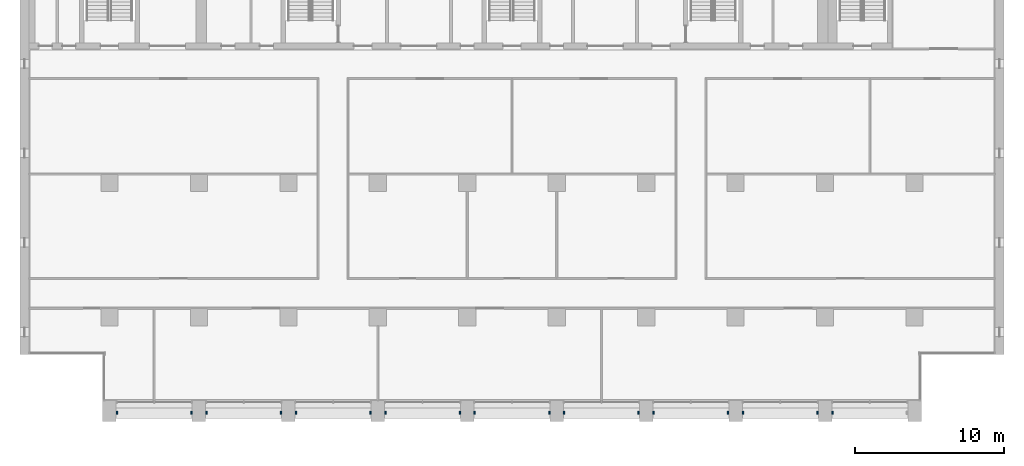
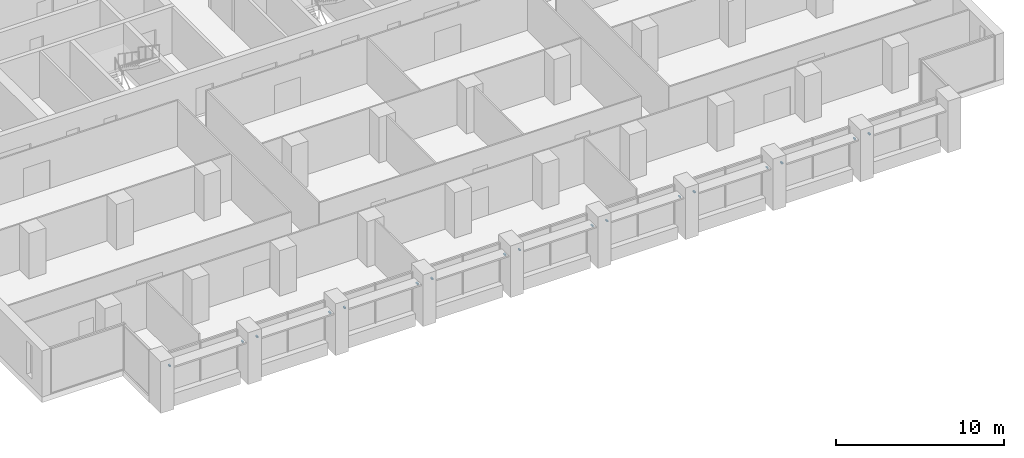
# One storey, part 14 of 17: 17 discrete accessories.
"""IFC4 building model written with IfcOpenShell, lengths in metres."""

from ifc_helpers import new_model, si_unit, direction, frame, origin, origin_2d, place, context, subcontext, project, spatial, rectangle, extrude, element, save


model = new_model("IFC4")

# Units and contexts
model_context = context("Model", 3, precision=1e-05, world=origin(), true_north=direction((0.0, 1.0)))
body_context = subcontext(model_context, "Body", "Model", "MODEL_VIEW")
ifc_project = project(units=[si_unit("LENGTHUNIT", "METRE"), si_unit("AREAUNIT", "SQUARE_METRE"), si_unit("VOLUMEUNIT", "CUBIC_METRE"), si_unit("PLANEANGLEUNIT", "RADIAN"), si_unit("MASSUNIT", "GRAM", prefix="KILO")], contexts=[model_context])

# Site, building, storey
site_placement = place(None, origin())
site = spatial("IfcSite", under=ifc_project, at=site_placement, CompositionType="ELEMENT")
building_placement = place(site_placement, origin())
building = spatial("IfcBuilding", under=site, at=building_placement, Name="Calvaro Tower", CompositionType="ELEMENT")
storey_placement = place(building_placement, frame((0.0, 0.0, 185.5)))
storey = spatial("IfcBuildingStorey", under=building, at=storey_placement, Name="L46", CompositionType="ELEMENT", Elevation=185.5)

# Discrete accessories
for number, where, z_axis, x_axis, name in (
    (1, (12.5, 3.60009765625, 2.349853515625), (0.0, 0.0, 1.0), (1.0, 0.0, 0.0), "Brise-soleil bracket"),
    (2, (17.5, 3.60009765625, 2.349853515625), (0.0, 0.0, 1.0), (1.0, 0.0, 0.0), "Brise-soleil bracket"),
    (3, (18.5, 3.60009765625, 2.349853515625), (0.0, 0.0, 1.0), (1.0, 0.0, 0.0), "Brise-soleil bracket"),
    (4, (23.5, 3.60009765625, 2.349853515625), (0.0, 0.0, 1.0), (1.0, 0.0, 0.0), "Brise-soleil bracket"),
    (5, (24.5, 3.60009765625, 2.349853515625), (0.0, 0.0, 1.0), (1.0, 0.0, 0.0), "Brise-soleil bracket"),
    (6, (29.5, 3.60009765625, 2.349853515625), (0.0, 0.0, 1.0), (1.0, 0.0, 0.0), "Brise-soleil bracket"),
    (7, (30.5, 3.60009765625, 2.349853515625), (0.0, 0.0, 1.0), (1.0, 0.0, 0.0), "Brise-soleil bracket"),
    (8, (35.5, 3.60009765625, 2.349853515625), (0.0, 0.0, 1.0), (1.0, 0.0, 0.0), "Brise-soleil bracket"),
    (9, (36.5, 3.60009765625, 2.349853515625), (0.0, 0.0, 1.0), (1.0, 0.0, 0.0), "Brise-soleil bracket"),
    (10, (41.5, 3.60009765625, 2.349853515625), (0.0, 0.0, 1.0), (1.0, 0.0, 0.0), "Brise-soleil bracket"),
    (11, (42.5, 3.60009765625, 2.349853515625), (0.0, 0.0, 1.0), (1.0, 0.0, 0.0), "Brise-soleil bracket"),
    (12, (47.5, 3.60009765625, 2.349853515625), (0.0, 0.0, 1.0), (1.0, 0.0, 0.0), "Brise-soleil bracket"),
    (13, (48.5, 3.60009765625, 2.349853515625), (0.0, 0.0, 1.0), (1.0, 0.0, 0.0), "Brise-soleil bracket"),
    (14, (53.5, 3.60009765625, 2.349853515625), (0.0, 0.0, 1.0), (1.0, 0.0, 0.0), "Brise-soleil bracket"),
    (15, (54.5, 3.60009765625, 2.349853515625), (0.0, 0.0, 1.0), (1.0, 0.0, 0.0), "Brise-soleil bracket"),
    (16, (59.5, 3.60009765625, 2.349853515625), (0.0, 0.0, 1.0), (1.0, 0.0, 0.0), "Brise-soleil bracket"),
    (17, (60.5, 3.60009765625, 2.349853515625), (0.0, 0.0, 1.0), (1.0, 0.0, 0.0), "Brise-soleil bracket"),
):
    element("IfcDiscreteAccessory", number, at=place(storey_placement, frame(where, z_axis=z_axis, x_axis=x_axis)), inside=storey, Name=name, PredefinedType="BRACKET", context=body_context, shape_type="SweptSolid", body=[
        extrude(rectangle(XDim=0.10009765625, YDim=0.199951171875, at=origin_2d()), origin(), (0.0, 0.0, 1.0), 0.10009765625),
    ])

save(model, "model.ifc")
